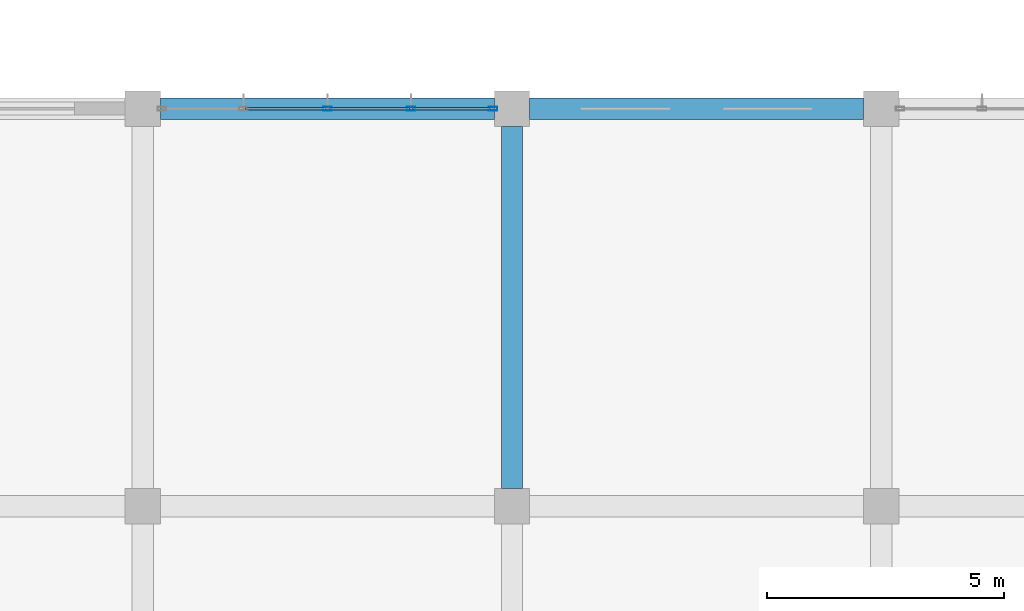
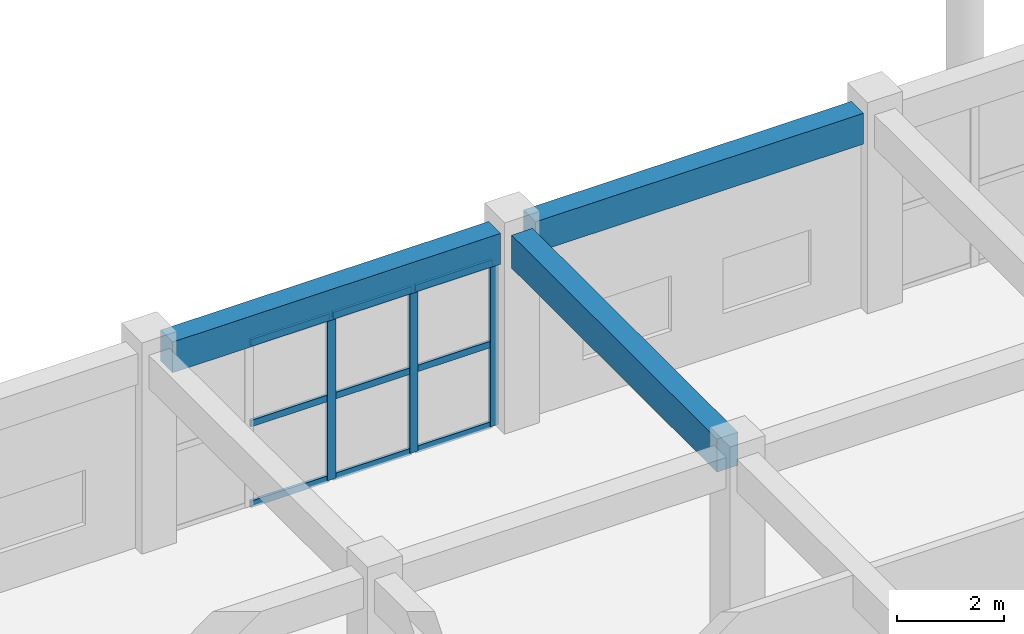
# One storey, part 122 of 167: 12 members, 3 beams, 1 element without a shape of its own.
"""IFC4 building model written with IfcOpenShell, lengths in metres."""

from ifc_helpers import new_model, si_unit, direction, frame, origin, origin_2d, place, context, subcontext, project, spatial, rectangle, hollow_rectangle, extrude, material, layer, layer_set, material_profile, profile_set, type_object, element, aggregate, save


model = new_model("IFC4")

# Units and contexts
model_context = context("Model", 3, precision=1e-05, world=origin(), true_north=direction((0.0, 1.0)))
body_context = subcontext(model_context, "Body", "Model", "MODEL_VIEW")
ifc_project = project(units=[si_unit("LENGTHUNIT", "METRE"), si_unit("AREAUNIT", "SQUARE_METRE"), si_unit("VOLUMEUNIT", "CUBIC_METRE"), si_unit("PLANEANGLEUNIT", "RADIAN"), si_unit("MASSUNIT", "GRAM", prefix="KILO")], contexts=[model_context])

# Site, building, storey
site_placement = place(None, origin())
site = spatial("IfcSite", under=ifc_project, at=site_placement, CompositionType="ELEMENT")
building_placement = place(site_placement, origin())
building = spatial("IfcBuilding", under=site, at=building_placement, Name="Zizhar Promenade General Hospital", CompositionType="ELEMENT")
storey_placement = place(building_placement, frame((0.0, 0.0, 9.60009765625)))
storey = spatial("IfcBuildingStorey", under=building, at=storey_placement, Name="L02", CompositionType="ELEMENT", Elevation=9.60009765625)

# Beams
ifc_material_1 = material(Name="Concrete C35/45", Category="concrete")
ifc_material_profile_1 = material_profile(ifc_material_1, rectangle(XDim=0.449951171875, YDim=0.699951171875, at=origin_2d()))
ifc_profile_set_1 = profile_set([ifc_material_profile_1], Name="Concrete C35/45")
beam_type_1 = type_object("IfcBeamType", Name="BM-RC-450x700", PredefinedType="BEAM", material=ifc_profile_set_1)
for number, where, z_axis, x_axis, name in (
    (1, (101.77490234375, 134.39990234375, 4.119873046875), (1.0, 0.0, 0.0), (0.0, 1.0, 0.0), "Grid Beam X L02 (13-16)"),
    (2, (109.574951171875, 134.39990234375, 4.119873046875), (1.0, 0.0, 0.0), (0.0, 1.0, 0.0), "Grid Beam X L02 (14-16)"),
):
    element("IfcBeam", number, at=place(storey_placement, frame(where, z_axis=z_axis, x_axis=x_axis)), inside=storey, type_object=beam_type_1, Name=name, PredefinedType="BEAM", context=body_context, shape_type="SweptSolid", body=[
        extrude(rectangle(XDim=0.449951171875, YDim=0.699951171875, at=origin_2d()), origin(), (0.0, 0.0, 1.0), 7.050048828125),
    ])
ifc_material_2 = material(Name="Concrete C35/45", Category="concrete")
ifc_material_profile_2 = material_profile(ifc_material_2, rectangle(XDim=0.449951171875, YDim=0.75, at=origin_2d()))
ifc_profile_set_2 = profile_set([ifc_material_profile_2], Name="Concrete C35/45")
beam_type_2 = type_object("IfcBeamType", Name="BM-RC-450x750", PredefinedType="BEAM", material=ifc_profile_set_2)
beam_placement = place(storey_placement, frame((109.199951171875, 126.375, 4.094970703125), z_axis=(0.0, 1.0, 0.0), x_axis=(-1.0, 0.0, 0.0)))
element("IfcBeam", 3, at=beam_placement, inside=storey, type_object=beam_type_2, Name="Grid Beam Y L02 (14-15)", PredefinedType="BEAM", context=body_context, shape_type="SweptSolid", body=[
    extrude(rectangle(XDim=0.449951171875, YDim=0.75, at=origin_2d()), origin(), (0.0, 0.0, 1.0), 7.64990234375),
])

# Curtain wall, members
ifc_material_3 = material(Name="Anodised aluminium 6063-T6 and low-E glass", Category="aluminium")
ifc_layer = layer(ifc_material_3, 0.159912109375)
ifc_layer_set = layer_set([ifc_layer], Name="Anodised aluminium 6063-T6 and low-E glass")
curtain_wall_type = type_object("IfcCurtainWallType", Name="CW-DT-MOD2", PredefinedType="NOTDEFINED", material=ifc_layer_set)
curtain_wall_placement = place(storey_placement, origin())
curtain_wall = element("IfcCurtainWall", 4, at=curtain_wall_placement, inside=storey, type_object=curtain_wall_type, Name="Surgical North Glazed Curtain Wall L02-13", PredefinedType="NOTDEFINED")
ifc_material_4 = material(Name="Anodised aluminium 6063-T6", Category="aluminium")
ifc_material_profile_3 = material_profile(ifc_material_4, hollow_rectangle(XDim=0.080078125, YDim=0.179931640625, WallThickness=0.0048828125, at=origin_2d()))
ifc_profile_set_3 = profile_set([ifc_material_profile_3], Name="Anodised aluminium 6063-T6")
member_type_1 = type_object("IfcMemberType", Name="CWM-ALU-180x80", PredefinedType="MULLION", material=ifc_profile_set_3)
member_1_placement = place(storey_placement, frame((105.300048828125, 134.39990234375, 0.0), z_axis=(0.0, 0.0, 1.0), x_axis=(0.0, 1.0, 0.0)))
member_1 = element("IfcMember", 5, at=member_1_placement, type_object=member_type_1, Name="CW-08 mullion 3", PredefinedType="MULLION", context=body_context, shape_type="SweptSolid", body=[
    extrude(hollow_rectangle(XDim=0.080078125, YDim=0.179931640625, WallThickness=0.0048828125, at=origin_2d()), origin(), (0.0, 0.0, 1.0), 3.72998046875),
])
member_2_placement = place(storey_placement, frame((107.070068359375, 134.39990234375, 0.0), z_axis=(0.0, 0.0, 1.0), x_axis=(0.0, 1.0, 0.0)))
member_2 = element("IfcMember", 6, at=member_2_placement, type_object=member_type_1, Name="CW-08 mullion 4", PredefinedType="MULLION", context=body_context, shape_type="SweptSolid", body=[
    extrude(hollow_rectangle(XDim=0.080078125, YDim=0.179931640625, WallThickness=0.0048828125, at=origin_2d()), origin(), (0.0, 0.0, 1.0), 3.72998046875),
])
member_3_placement = place(storey_placement, frame((108.800048828125, 134.39990234375, 0.0), z_axis=(0.0, 0.0, 1.0), x_axis=(0.0, 1.0, 0.0)))
member_3 = element("IfcMember", 7, at=member_3_placement, type_object=member_type_1, Name="CW-08 mullion 5", PredefinedType="MULLION", context=body_context, shape_type="SweptSolid", body=[
    extrude(hollow_rectangle(XDim=0.080078125, YDim=0.179931640625, WallThickness=0.0048828125, at=origin_2d()), origin(), (0.0, 0.0, 1.0), 3.72998046875),
])
ifc_material_5 = material(Name="Anodised aluminium 6063-T6", Category="aluminium")
ifc_material_profile_4 = material_profile(ifc_material_5, hollow_rectangle(XDim=0.06005859375, YDim=0.14990234375, WallThickness=0.00390625, at=origin_2d()))
ifc_profile_set_4 = profile_set([ifc_material_profile_4], Name="Anodised aluminium 6063-T6")
member_type_2 = type_object("IfcMemberType", Name="CWT-ALU-150x60", PredefinedType="USERDEFINED", material=ifc_profile_set_4)
member_4_placement = place(storey_placement, frame((103.570068359375, 134.39990234375, 0.02978515625), z_axis=(1.0, 0.0, 0.0), x_axis=(0.0, 1.0, 0.0)))
member_4 = element("IfcMember", 8, at=member_4_placement, type_object=member_type_2, Name="CW-08 transom 2.1", ObjectType="TRANSOM", PredefinedType="USERDEFINED", context=body_context, shape_type="SweptSolid", body=[
    extrude(hollow_rectangle(XDim=0.06005859375, YDim=0.14990234375, WallThickness=0.00390625, at=origin_2d()), origin(), (0.0, 0.0, 1.0), 1.68994140625),
])
member_5_placement = place(storey_placement, frame((103.570068359375, 134.39990234375, 1.864990234375), z_axis=(1.0, 0.0, 0.0), x_axis=(0.0, 1.0, 0.0)))
member_5 = element("IfcMember", 9, at=member_5_placement, type_object=member_type_2, Name="CW-08 transom 2.2", ObjectType="TRANSOM", PredefinedType="USERDEFINED", context=body_context, shape_type="SweptSolid", body=[
    extrude(hollow_rectangle(XDim=0.06005859375, YDim=0.14990234375, WallThickness=0.00390625, at=origin_2d()), origin(), (0.0, 0.0, 1.0), 1.68994140625),
])
member_6_placement = place(storey_placement, frame((103.570068359375, 134.39990234375, 3.699951171875), z_axis=(1.0, 0.0, 0.0), x_axis=(0.0, 1.0, 0.0)))
member_6 = element("IfcMember", 10, at=member_6_placement, type_object=member_type_2, Name="CW-08 transom 2.3", ObjectType="TRANSOM", PredefinedType="USERDEFINED", context=body_context, shape_type="SweptSolid", body=[
    extrude(hollow_rectangle(XDim=0.06005859375, YDim=0.14990234375, WallThickness=0.00390625, at=origin_2d()), origin(), (0.0, 0.0, 1.0), 1.68994140625),
])
member_7_placement = place(storey_placement, frame((105.340087890625, 134.39990234375, 0.02978515625), z_axis=(1.0, 0.0, 0.0), x_axis=(0.0, 1.0, 0.0)))
member_7 = element("IfcMember", 11, at=member_7_placement, type_object=member_type_2, Name="CW-08 transom 3.1", ObjectType="TRANSOM", PredefinedType="USERDEFINED", context=body_context, shape_type="SweptSolid", body=[
    extrude(hollow_rectangle(XDim=0.06005859375, YDim=0.14990234375, WallThickness=0.00390625, at=origin_2d()), origin(), (0.0, 0.0, 1.0), 1.68994140625),
])
member_8_placement = place(storey_placement, frame((105.340087890625, 134.39990234375, 1.864990234375), z_axis=(1.0, 0.0, 0.0), x_axis=(0.0, 1.0, 0.0)))
member_8 = element("IfcMember", 12, at=member_8_placement, type_object=member_type_2, Name="CW-08 transom 3.2", ObjectType="TRANSOM", PredefinedType="USERDEFINED", context=body_context, shape_type="SweptSolid", body=[
    extrude(hollow_rectangle(XDim=0.06005859375, YDim=0.14990234375, WallThickness=0.00390625, at=origin_2d()), origin(), (0.0, 0.0, 1.0), 1.68994140625),
])
member_9_placement = place(storey_placement, frame((105.340087890625, 134.39990234375, 3.699951171875), z_axis=(1.0, 0.0, 0.0), x_axis=(0.0, 1.0, 0.0)))
member_9 = element("IfcMember", 13, at=member_9_placement, type_object=member_type_2, Name="CW-08 transom 3.3", ObjectType="TRANSOM", PredefinedType="USERDEFINED", context=body_context, shape_type="SweptSolid", body=[
    extrude(hollow_rectangle(XDim=0.06005859375, YDim=0.14990234375, WallThickness=0.00390625, at=origin_2d()), origin(), (0.0, 0.0, 1.0), 1.68994140625),
])
member_10_placement = place(storey_placement, frame((107.110107421875, 134.39990234375, 0.02978515625), z_axis=(1.0, 0.0, 0.0), x_axis=(0.0, 1.0, 0.0)))
member_10 = element("IfcMember", 14, at=member_10_placement, type_object=member_type_2, Name="CW-08 transom 4.1", ObjectType="TRANSOM", PredefinedType="USERDEFINED", context=body_context, shape_type="SweptSolid", body=[
    extrude(hollow_rectangle(XDim=0.06005859375, YDim=0.14990234375, WallThickness=0.00390625, at=origin_2d()), origin(), (0.0, 0.0, 1.0), 1.64990234375),
])
member_11_placement = place(storey_placement, frame((107.110107421875, 134.39990234375, 1.864990234375), z_axis=(1.0, 0.0, 0.0), x_axis=(0.0, 1.0, 0.0)))
member_11 = element("IfcMember", 15, at=member_11_placement, type_object=member_type_2, Name="CW-08 transom 4.2", ObjectType="TRANSOM", PredefinedType="USERDEFINED", context=body_context, shape_type="SweptSolid", body=[
    extrude(hollow_rectangle(XDim=0.06005859375, YDim=0.14990234375, WallThickness=0.00390625, at=origin_2d()), origin(), (0.0, 0.0, 1.0), 1.64990234375),
])
member_12_placement = place(storey_placement, frame((107.110107421875, 134.39990234375, 3.699951171875), z_axis=(1.0, 0.0, 0.0), x_axis=(0.0, 1.0, 0.0)))
member_12 = element("IfcMember", 16, at=member_12_placement, type_object=member_type_2, Name="CW-08 transom 4.3", ObjectType="TRANSOM", PredefinedType="USERDEFINED", context=body_context, shape_type="SweptSolid", body=[
    extrude(hollow_rectangle(XDim=0.06005859375, YDim=0.14990234375, WallThickness=0.00390625, at=origin_2d()), origin(), (0.0, 0.0, 1.0), 1.64990234375),
])
aggregate(curtain_wall, [member_1, member_2, member_3, member_4, member_5, member_6, member_7, member_8, member_9, member_10, member_11, member_12])

save(model, "model.ifc")
